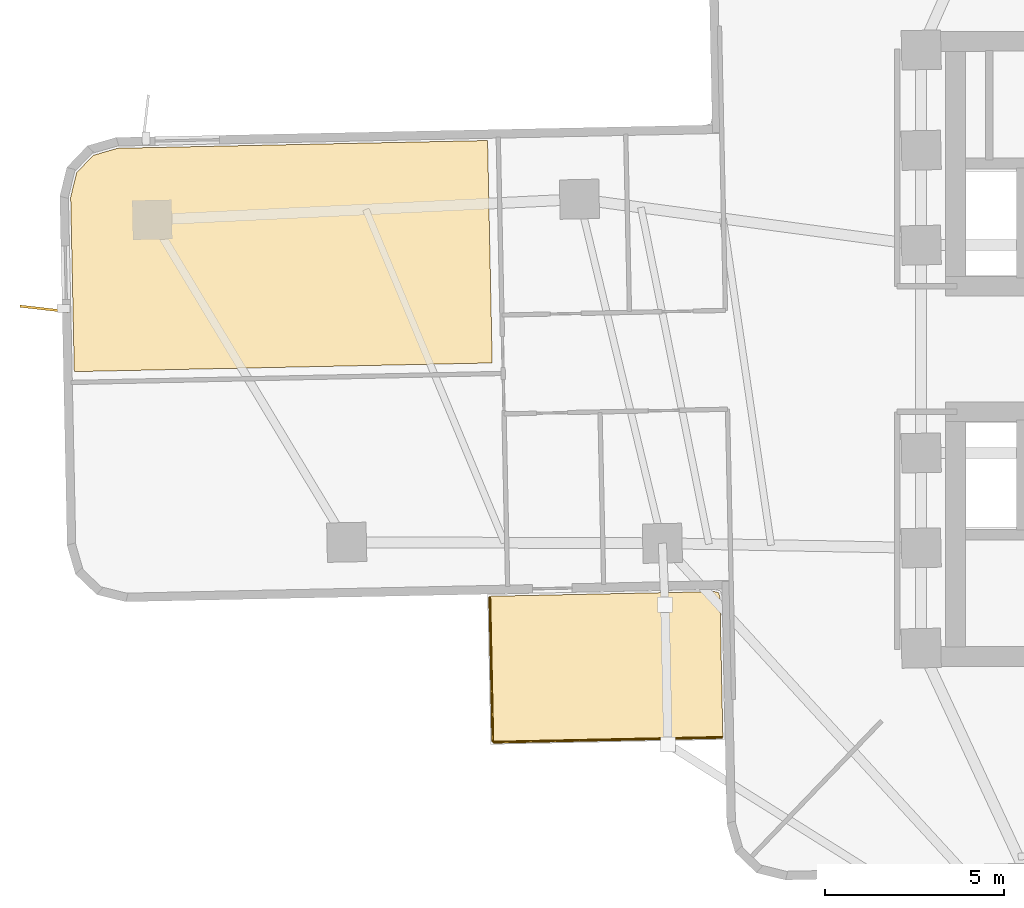
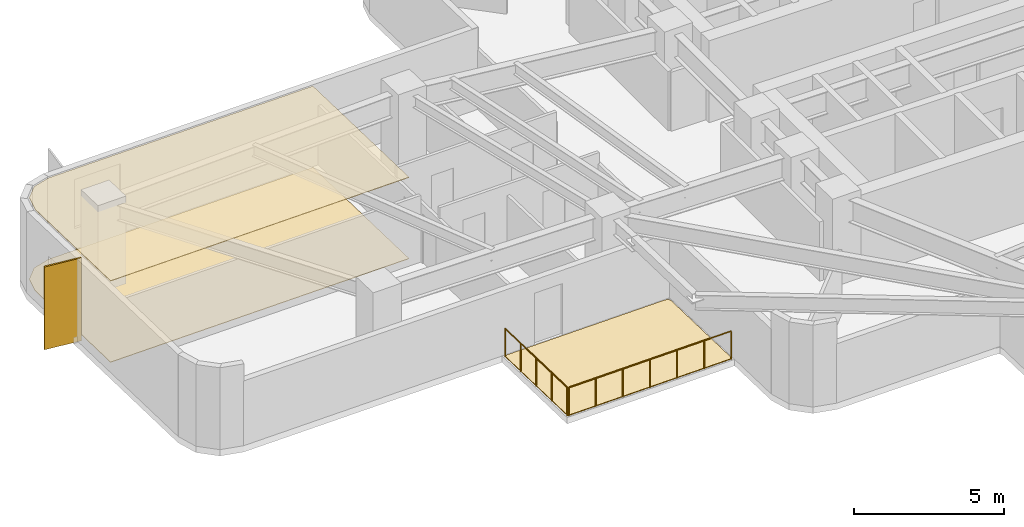
# One storey, part 7 of 10: 3 coverings, 2 railings, 1 shading device.
"""IFC4 building model written with IfcOpenShell, lengths in metres."""

from ifc_helpers import new_model, si_unit, direction, frame, origin, origin_2d, place, context, subcontext, project, spatial, polyline, rectangle, circle, outline, extrude, material, layer, layer_set, type_object, element, save


model = new_model("IFC4")

# Units and contexts
model_context = context("Model", 3, precision=1e-05, world=origin(), true_north=direction((0.0, 1.0)))
body_context = subcontext(model_context, "Body", "Model", "MODEL_VIEW")
ifc_project = project(units=[si_unit("LENGTHUNIT", "METRE"), si_unit("AREAUNIT", "SQUARE_METRE"), si_unit("VOLUMEUNIT", "CUBIC_METRE"), si_unit("PLANEANGLEUNIT", "RADIAN"), si_unit("MASSUNIT", "GRAM", prefix="KILO")], contexts=[model_context])

# Site, building, storey
site_placement = place(None, origin())
site = spatial("IfcSite", under=ifc_project, at=site_placement, CompositionType="ELEMENT")
building_placement = place(site_placement, origin())
building = spatial("IfcBuilding", under=site, at=building_placement, Name="Solmarez Civic Tower", CompositionType="ELEMENT")
storey_placement = place(building_placement, frame((0.0, 0.0, 35.280029296875)))
storey = spatial("IfcBuildingStorey", under=building, at=storey_placement, Name="L08", CompositionType="ELEMENT", Elevation=35.280029296875)

# Coverings
ifc_material_1 = material(Name="Perforated Mineral-Fibre Acoustic Ceiling")
ifc_layer_1 = layer(ifc_material_1, 0.02490234375)
ifc_layer_set_1 = layer_set([ifc_layer_1], Name="Perforated Mineral-Fibre Acoustic Ceiling")
covering_type_1 = type_object("IfcCoveringType", Name="COV-CEIL-ACOUSTIC", PredefinedType="CEILING", material=ifc_layer_set_1)
covering_1_placement = place(storey_placement, frame((0.0, 0.0, 3.31494140625)))
element("IfcCovering", 1, at=covering_1_placement, inside=storey, type_object=covering_type_1, Name="L08 Suspended Acoustic Ceiling 1", PredefinedType="CEILING", context=body_context, shape_type="SweptSolid", body=[
    extrude(outline(polyline([(-20.9560546875, 5.822021484375), (-31.283935546875, 5.60595703125), (-31.965087890625, 5.407958984375), (-32.427001953125, 4.926025390625), (-32.594970703125, 4.239013671875), (-32.493896484375, -0.6298828125), (-20.826904296875, -0.386962890625), (-20.9560546875, 5.822021484375)])), origin(), (0.0, 0.0, 1.0), 0.025146484375),
])
ifc_material_2 = material(Name="Polished Tropical Stone Terrazzo Flooring", Category="masonry")
ifc_layer_2 = layer(ifc_material_2, 0.02001953125)
ifc_layer_set_2 = layer_set([ifc_layer_2], Name="Polished Tropical Stone Terrazzo Flooring")
covering_type_2 = type_object("IfcCoveringType", Name="COV-FLOOR-TERRAZZO", PredefinedType="FLOORING", material=ifc_layer_set_2)
covering_2_placement = place(storey_placement, origin())
element("IfcCovering", 2, at=covering_2_placement, inside=storey, type_object=covering_type_2, Name="L08 Terrazzo Floor Finish 1", PredefinedType="FLOORING", context=body_context, shape_type="SweptSolid", body=[
    extrude(outline(polyline([(-20.9560546875, 5.822021484375), (-31.283935546875, 5.60595703125), (-31.965087890625, 5.407958984375), (-32.427001953125, 4.926025390625), (-32.594970703125, 4.239013671875), (-32.493896484375, -0.6298828125), (-20.826904296875, -0.386962890625), (-20.9560546875, 5.822021484375)])), origin(), (0.0, 0.0, 1.0), 0.02001953125),
])
ifc_material_3 = material(Name="Elastomeric Terrace Waterproofing Membrane")
ifc_layer_3 = layer(ifc_material_3, 0.030029296875)
ifc_layer_set_3 = layer_set([ifc_layer_3], Name="Elastomeric Terrace Waterproofing Membrane")
covering_type_3 = type_object("IfcCoveringType", Name="COV-MEMBRANE-ROOF", PredefinedType="ROOFING", material=ifc_layer_set_3)
covering_3_placement = place(storey_placement, origin())
element("IfcCovering", 3, at=covering_3_placement, inside=storey, type_object=covering_type_3, Name="L08 Balcony Waterproofing SW", PredefinedType="ROOFING", context=body_context, shape_type="SweptSolid", body=[
    extrude(outline(polyline([(-14.469970703125, -6.923095703125), (-14.506103515625, -6.800048828125), (-14.631103515625, -6.77001953125), (-20.89990234375, -6.90087890625), (-20.81396484375, -10.97900390625), (-14.387939453125, -10.843017578125), (-14.469970703125, -6.923095703125)])), origin(), (0.0, 0.0, 1.0), 0.030029296875),
])

# Shading device
ifc_material_4 = material(Name="Bronze Anodised Aluminium EN AW-6063 T6", Category="aluminium")
ifc_layer_4 = layer(ifc_material_4, 0.06494140625)
ifc_layer_set_4 = layer_set([ifc_layer_4], Name="Bronze Anodised Aluminium EN AW-6063 T6")
shading_device_type = type_object("IfcShadingDeviceType", Name="FIN-BRONZE-Z12", PredefinedType="USERDEFINED", material=ifc_layer_set_4)
shading_device_placement = place(storey_placement, frame((-33.3349609375, 1.12109375, -0.0400390625), z_axis=(0.0, 0.0, 1.0), x_axis=(-0.993577781621, 0.113151190312, 0.0)))
element("IfcShadingDevice", 4, at=shading_device_placement, inside=storey, type_object=shading_device_type, Name="L08 Anodised Bronze Solar Fin FIN-L08-01", ObjectType="FIN", PredefinedType="USERDEFINED", context=body_context, shape_type="SweptSolid", body=[
    extrude(rectangle(XDim=1.35009765625, YDim=0.06494140625, at=origin_2d()), origin(), (0.0, 0.0, 1.0), 3.3798828125),
])

# Railings
ifc_material_5 = material(Name="Bronze Anodised Aluminium and Laminated Safety Glass Balustrade", Category="aluminium")
railing_type = type_object("IfcRailingType", Name="GUARD-TERR-1180", PredefinedType="BALUSTRADE", material=ifc_material_5)
railing_1_placement = place(storey_placement, frame((-20.89892578125, -6.93603515625, 0.0)))
element("IfcRailing", 5, at=railing_1_placement, inside=storey, type_object=railing_type, Name="L08 Safety Balustrade GRD-BALC-L08-SW-1", PredefinedType="BALUSTRADE", context=body_context, shape_type="SweptSolid", body=[
    extrude(circle(Radius=0.02392578125, at=origin_2d()), frame((0.0, 0.0, 1.15576171875), z_axis=(0.020949290711, -0.999780539528, 0.0), x_axis=(0.999780539528, 0.020949290711, 0.0)), (0.0, 0.0, 1.0), 4.009033203125),
    extrude(circle(Radius=0.02099609375, at=origin_2d()), origin(), (0.0, 0.0, 1.0), 1.1318359375),
    extrude(circle(Radius=0.02099609375, at=origin_2d()), frame((0.02099609375, -1.001953125, 0.0)), (0.0, 0.0, 1.0), 1.1318359375),
    extrude(circle(Radius=0.02099609375, at=origin_2d()), frame((0.0419921875, -2.00390625, 0.0)), (0.0, 0.0, 1.0), 1.1318359375),
    extrude(circle(Radius=0.02099609375, at=origin_2d()), frame((0.06298828125, -3.006103515625, 0.0)), (0.0, 0.0, 1.0), 1.1318359375),
    extrude(circle(Radius=0.02099609375, at=origin_2d()), frame((0.083984375, -4.008056640625, 0.0)), (0.0, 0.0, 1.0), 1.1318359375),
])
railing_2_placement = place(storey_placement, frame((-20.779052734375, -10.97802734375, 0.0)))
element("IfcRailing", 6, at=railing_2_placement, inside=storey, type_object=railing_type, Name="L08 Safety Balustrade GRD-BALC-L08-SW-2", PredefinedType="BALUSTRADE", context=body_context, shape_type="SweptSolid", body=[
    extrude(circle(Radius=0.02392578125, at=origin_2d()), frame((0.0, 0.0, 1.15576171875), z_axis=(0.999777726302, 0.021083120986, 0.0), x_axis=(-0.021083120986, 0.999777726302, 0.0)), (0.0, 0.0, 1.0), 6.357421875),
    extrude(circle(Radius=0.02099609375, at=origin_2d()), origin(), (0.0, 0.0, 1.0), 1.1318359375),
    extrude(circle(Radius=0.02099609375, at=origin_2d()), frame((1.059326171875, 0.0224609375, 0.0)), (0.0, 0.0, 1.0), 1.1318359375),
    extrude(circle(Radius=0.02099609375, at=origin_2d()), frame((2.11865234375, 0.044677734375, 0.0)), (0.0, 0.0, 1.0), 1.1318359375),
    extrude(circle(Radius=0.02099609375, at=origin_2d()), frame((3.177978515625, 0.06689453125, 0.0)), (0.0, 0.0, 1.0), 1.1318359375),
    extrude(circle(Radius=0.02099609375, at=origin_2d()), frame((4.2373046875, 0.08935546875, 0.0)), (0.0, 0.0, 1.0), 1.1318359375),
    extrude(circle(Radius=0.02099609375, at=origin_2d()), frame((5.296630859375, 0.11181640625, 0.0)), (0.0, 0.0, 1.0), 1.1318359375),
    extrude(circle(Radius=0.02099609375, at=origin_2d()), frame((6.35595703125, 0.134033203125, 0.0)), (0.0, 0.0, 1.0), 1.1318359375),
])

save(model, "model.ifc")
